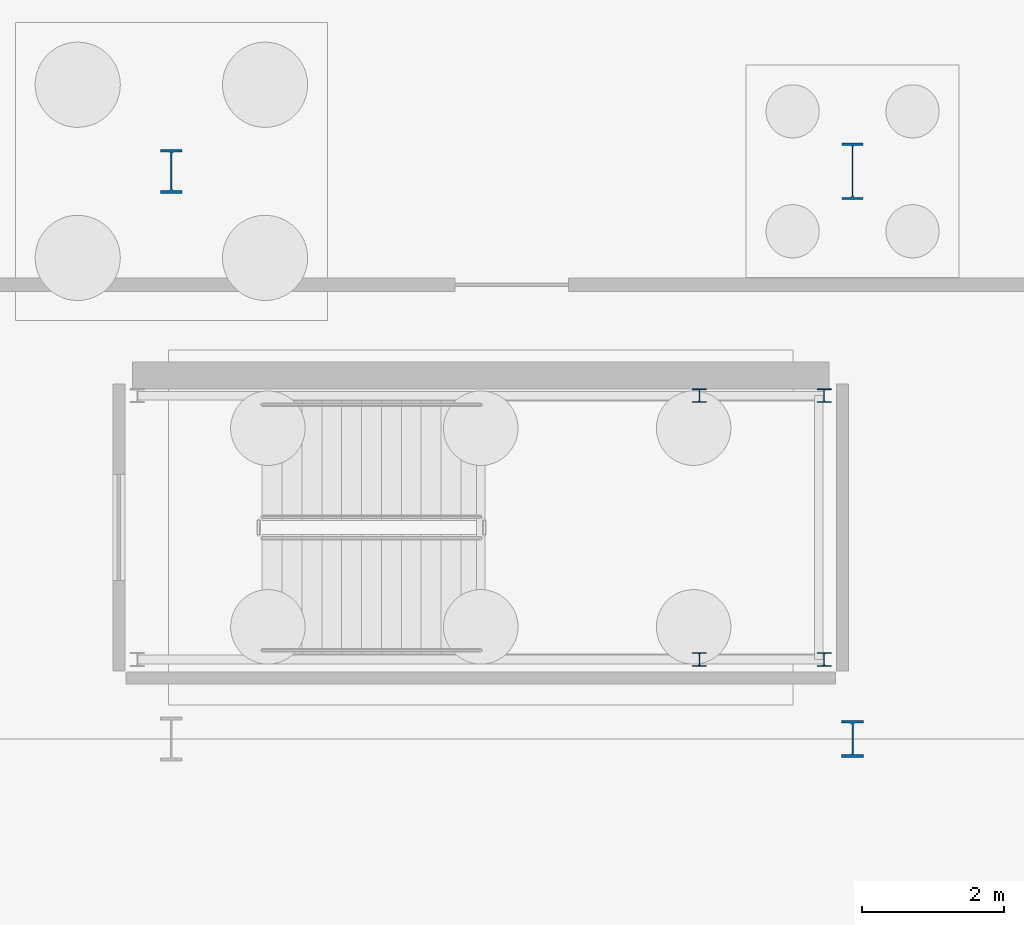
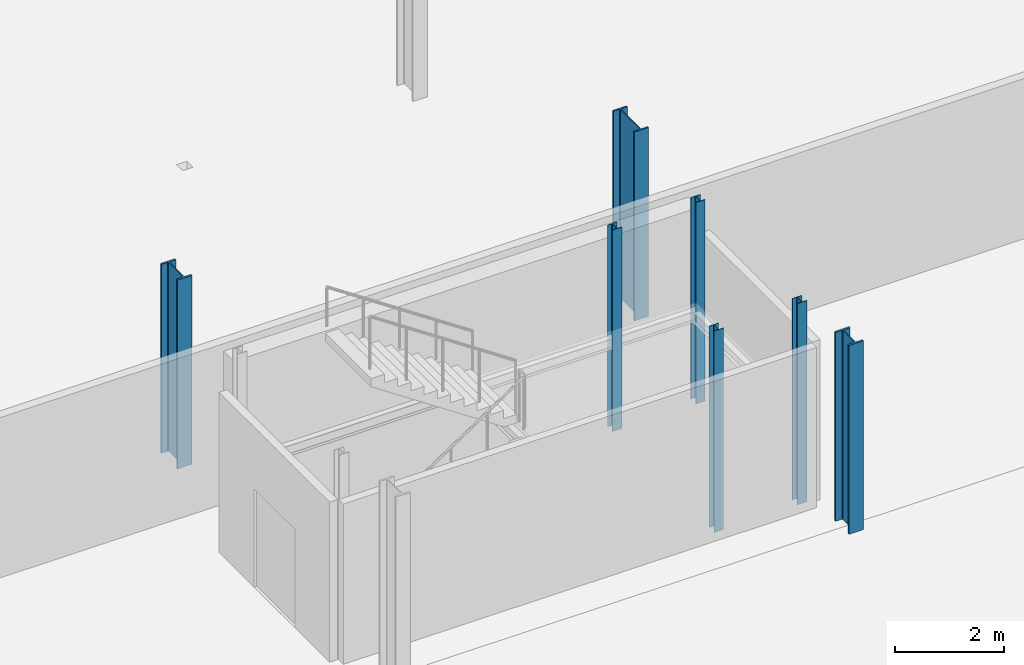
# One storey, part 19 of 47: 7 columns.
"""IFC4 building model written with IfcOpenShell, lengths in metres."""

from ifc_helpers import new_model, si_unit, direction, frame, origin, origin_2d, place, context, subcontext, project, spatial, i_section, extrude, material, material_profile, profile_set, type_object, element, save


model = new_model("IFC4")

# Units and contexts
model_context = context("Model", 3, precision=1e-05, world=origin(), true_north=direction((0.0, 1.0)))
body_context = subcontext(model_context, "Body", "Model", "MODEL_VIEW")
ifc_project = project(units=[si_unit("LENGTHUNIT", "METRE"), si_unit("AREAUNIT", "SQUARE_METRE"), si_unit("VOLUMEUNIT", "CUBIC_METRE"), si_unit("PLANEANGLEUNIT", "RADIAN"), si_unit("MASSUNIT", "GRAM", prefix="KILO")], contexts=[model_context])

# Site, building, storey
site_placement = place(None, origin())
site = spatial("IfcSite", under=ifc_project, at=site_placement, CompositionType="ELEMENT")
building_placement = place(site_placement, origin())
building = spatial("IfcBuilding", under=site, at=building_placement, Name="Alderhovde Museum", CompositionType="ELEMENT")
storey_placement = place(building_placement, frame((0.0, 0.0, -4.5)))
storey = spatial("IfcBuildingStorey", under=building, at=storey_placement, Name="B1", CompositionType="ELEMENT", Elevation=-4.5)

# Columns
ifc_material_1 = material(Name="Steel S355J2", Category="steel")
ifc_material_profile_1 = material_profile(ifc_material_1, i_section(OverallWidth=0.199951171875, OverallDepth=0.18994140625, WebThickness=0.006591796875, FlangeThickness=0.010009765625, FilletRadius=0.01806640625, at=origin_2d()), Name="HEA 200")
ifc_profile_set_1 = profile_set([ifc_material_profile_1], Name="Steel S355J2")
column_type_1 = type_object("IfcColumnType", Name="COL-HEA200", PredefinedType="COLUMN", material=ifc_profile_set_1)
for number, where, z_axis, x_axis, name in (
    (1, (38.0, 81.1201171875, 0.0), (0.0, 0.0, 1.0), (1.0, 0.0, 0.0), "B1 Stair ST2 Shaft Column 2"),
    (2, (38.0, 84.840087890625, 0.0), (0.0, 0.0, 1.0), (1.0, 0.0, 0.0), "B1 Stair ST2 Shaft Column 3"),
    (3, (36.239990234375, 81.1201171875, 0.0), (0.0, 0.0, 1.0), (1.0, 0.0, 0.0), "B1 Stair ST2 Shaft Column 5"),
    (4, (36.239990234375, 84.840087890625, 0.0), (0.0, 0.0, 1.0), (1.0, 0.0, 0.0), "B1 Stair ST2 Shaft Column 6"),
):
    element("IfcColumn", number, at=place(storey_placement, frame(where, z_axis=z_axis, x_axis=x_axis)), inside=storey, type_object=column_type_1, Name=name, PredefinedType="COLUMN", context=body_context, shape_type="SweptSolid", body=[
        extrude(i_section(OverallWidth=0.199951171875, OverallDepth=0.18994140625, WebThickness=0.006591796875, FlangeThickness=0.010009765625, FilletRadius=0.01806640625, at=origin_2d()), origin(), (0.0, 0.0, 1.0), 4.5),
    ])
ifc_material_2 = material(Name="Steel S355J2", Category="steel")
ifc_material_profile_2 = material_profile(ifc_material_2, i_section(OverallWidth=0.300048828125, OverallDepth=0.800048828125, WebThickness=0.017578125, FlangeThickness=0.032958984375, FilletRadius=0.030029296875, at=origin_2d()), Name="HEB 800")
ifc_profile_set_2 = profile_set([ifc_material_profile_2], Name="Steel S355J2")
column_type_2 = type_object("IfcColumnType", Name="COL-HEB800", PredefinedType="COLUMN", material=ifc_profile_set_2)
column_1_placement = place(storey_placement, frame((38.39990234375, 88.0, 0.0), z_axis=(0.0, 0.0, 1.0), x_axis=(1.0, 0.0, 0.0)))
element("IfcColumn", 5, at=column_1_placement, inside=storey, type_object=column_type_2, Name="B1 Column (38.4, 88.0)", PredefinedType="COLUMN", context=body_context, shape_type="SweptSolid", body=[
    extrude(i_section(OverallWidth=0.300048828125, OverallDepth=0.800048828125, WebThickness=0.017578125, FlangeThickness=0.032958984375, FilletRadius=0.030029296875, at=origin_2d()), origin(), (0.0, 0.0, 1.0), 4.219970703125),
])
ifc_material_3 = material(Name="Steel S355J2", Category="steel")
ifc_material_profile_3 = material_profile(ifc_material_3, i_section(OverallWidth=0.305908203125, OverallDepth=0.52392578125, WebThickness=0.02099609375, FlangeThickness=0.0400390625, FilletRadius=0.027099609375, at=origin_2d()), Name="HEM 500")
ifc_profile_set_3 = profile_set([ifc_material_profile_3], Name="Steel S355J2")
column_type_3 = type_object("IfcColumnType", Name="COL-HEM500", PredefinedType="COLUMN", material=ifc_profile_set_3)
column_2_placement = place(storey_placement, frame((38.39990234375, 80.0, 0.0), z_axis=(0.0, 0.0, 1.0), x_axis=(1.0, 0.0, 0.0)))
element("IfcColumn", 6, at=column_2_placement, inside=storey, type_object=column_type_3, Name="B1 Column (38.4, 80.0)", PredefinedType="COLUMN", context=body_context, shape_type="SweptSolid", body=[
    extrude(i_section(OverallWidth=0.305908203125, OverallDepth=0.52392578125, WebThickness=0.02099609375, FlangeThickness=0.0400390625, FilletRadius=0.027099609375, at=origin_2d()), origin(), (0.0, 0.0, 1.0), 4.219970703125),
])
ifc_material_4 = material(Name="Steel S355J2", Category="steel")
ifc_material_profile_4 = material_profile(ifc_material_4, i_section(OverallWidth=0.304931640625, OverallDepth=0.6201171875, WebThickness=0.02099609375, FlangeThickness=0.0400390625, FilletRadius=0.027099609375, at=origin_2d()), Name="HEM 600")
ifc_profile_set_4 = profile_set([ifc_material_profile_4], Name="Steel S355J2")
column_type_4 = type_object("IfcColumnType", Name="COL-HEM600", PredefinedType="COLUMN", material=ifc_profile_set_4)
column_3_placement = place(storey_placement, frame((28.800048828125, 88.0, 0.0), z_axis=(0.0, 0.0, 1.0), x_axis=(1.0, 0.0, 0.0)))
element("IfcColumn", 7, at=column_3_placement, inside=storey, type_object=column_type_4, Name="B1 Column (28.8, 88.0)", PredefinedType="COLUMN", context=body_context, shape_type="SweptSolid", body=[
    extrude(i_section(OverallWidth=0.304931640625, OverallDepth=0.6201171875, WebThickness=0.02099609375, FlangeThickness=0.0400390625, FilletRadius=0.027099609375, at=origin_2d()), origin(), (0.0, 0.0, 1.0), 4.219970703125),
])

save(model, "model.ifc")
